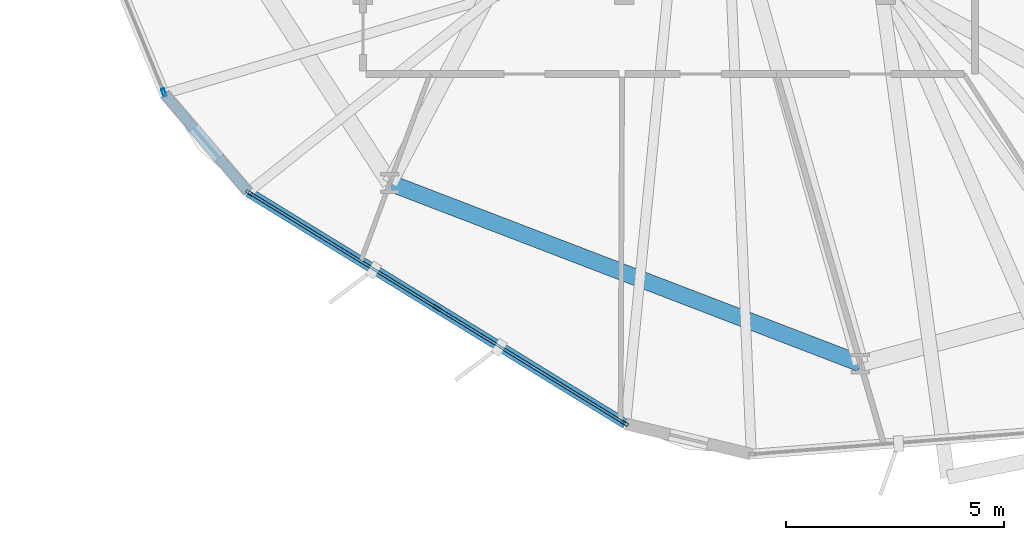
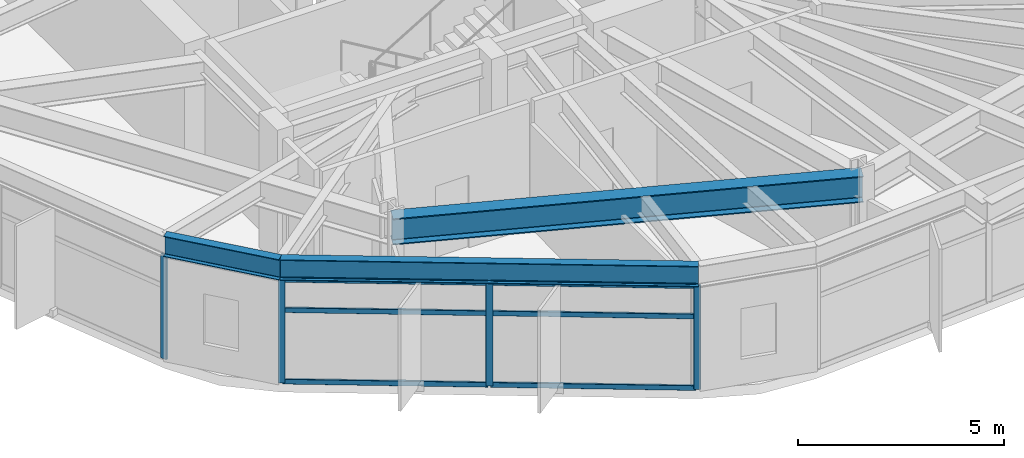
# One storey, part 2 of 22: 10 members, 3 beams, 2 elements without a shape of their own.
"""IFC4 building model written with IfcOpenShell, lengths in metres."""

import ifcopenshell
import ifcopenshell.guid

model = None  # the IFC model being written
_history = None  # IfcOwnerHistory: only IFC2X3 demands one
_inside = {}  # id of a spatial element -> (the spatial element, [elements in it])
_under = {}  # id of a project, library or spatial element -> (it, [spatial elements below it])
_declared = {}  # id of a project -> (the project, [libraries it declares])
_typed = {}  # id of a type object -> (the type object, [elements of that type])
_made_of = {}  # id of a material, layer set ... -> (it, [elements and type objects made of it])


def new_model(schema):
    """Start an empty IFC model of exactly this schema.

    Asked for "IFC4X3", IfcOpenShell would pick the latest addendum, in which some entities
    have other attributes; the version numbers below select the first issue.
    IFC2X3 requires an IfcOwnerHistory on every rooted entity: one is made here for all.
    """
    global model, _history
    if schema == "IFC4X3":
        model = ifcopenshell.file(schema_version=(4, 3, 0, 0))
    else:
        model = ifcopenshell.file(schema=schema)
    _inside.clear()
    _under.clear()
    _declared.clear()
    _typed.clear()
    _made_of.clear()
    _history = None
    if model.schema == "IFC2X3":
        org = make("IfcOrganization", Name="unknown")
        user = make(
            "IfcPersonAndOrganization",
            ThePerson=make("IfcPerson", FamilyName="unknown"),
            TheOrganization=org,
        )
        app = make(
            "IfcApplication",
            ApplicationDeveloper=org,
            Version="unknown",
            ApplicationFullName="unknown",
            ApplicationIdentifier="unknown",
        )
        _history = make(
            "IfcOwnerHistory",
            OwningUser=user,
            OwningApplication=app,
            ChangeAction="ADDED",
            CreationDate=0,
        )
    return model


def make(cls, **values):
    """One entity of the class cls with the attributes given. An attribute that is None is left unset."""
    return model.create_entity(
        cls, **{name: value for name, value in values.items() if value is not None}
    )


def rooted(cls, **values):
    """An entity with a GlobalId (a new one), such as an element, a storey or a relation."""
    return make(cls, GlobalId=ifcopenshell.guid.new(), OwnerHistory=_history, **values)


def si_unit(unit_type, name, prefix=None):
    """IfcSIUnit, for example si_unit("LENGTHUNIT", "METRE", prefix="MILLI")."""
    return make("IfcSIUnit", UnitType=unit_type, Prefix=prefix, Name=name)


def assignment(units):
    """IfcUnitAssignment: the units of a project."""
    return None if units is None else make("IfcUnitAssignment", Units=units)


def point(xyz):
    """IfcCartesianPoint."""
    return None if xyz is None else make("IfcCartesianPoint", Coordinates=xyz)


def direction(xyz):
    """IfcDirection."""
    return None if xyz is None else make("IfcDirection", DirectionRatios=xyz)


def frame(location, z_axis=None, x_axis=None):
    """IfcAxis2Placement3D, a coordinate frame: its origin and axes. An axis left out is left unset."""
    return make(
        "IfcAxis2Placement3D",
        Location=point(location),
        Axis=direction(z_axis),
        RefDirection=direction(x_axis),
    )


def frame_2d(location, x_axis=None):
    """IfcAxis2Placement2D, a coordinate frame in the plane: its origin and x axis."""
    return make(
        "IfcAxis2Placement2D", Location=point(location), RefDirection=direction(x_axis)
    )


def origin():
    """The frame at (0, 0, 0) with its axes left unset."""
    return frame((0.0, 0.0, 0.0))


def origin_2d():
    """The frame at (0, 0) in the plane with its x axis left unset."""
    return frame_2d((0.0, 0.0))


def place(relative_to, where):
    """IfcLocalPlacement: puts the frame where relative to a parent placement (None: the world)."""
    return make(
        "IfcLocalPlacement", PlacementRelTo=relative_to, RelativePlacement=where
    )


def context(
    kind, dimensions, precision=None, world=None, true_north=None, identifier=None
):
    """IfcGeometricRepresentationContext, for example the 3D "Model" context."""
    return make(
        "IfcGeometricRepresentationContext",
        ContextIdentifier=identifier,
        ContextType=kind,
        CoordinateSpaceDimension=dimensions,
        Precision=precision,
        WorldCoordinateSystem=world,
        TrueNorth=true_north,
    )


def subcontext(parent, identifier, kind, view, scale=None):
    """IfcGeometricRepresentationSubContext, for example "Body" below "Model"."""
    return make(
        "IfcGeometricRepresentationSubContext",
        ContextIdentifier=identifier,
        ContextType=kind,
        ParentContext=parent,
        TargetScale=scale,
        TargetView=view,
    )


def project(units=None, contexts=None):
    """IfcProject with its units and contexts."""
    return rooted(
        "IfcProject",
        Name="project",
        RepresentationContexts=contexts,
        UnitsInContext=assignment(units),
    )


def spatial(cls, under=None, at=None, **own):
    """A site, building, storey or space (cls), placed at a placement, below another one or the project."""
    s = rooted(cls, ObjectPlacement=at, **own)
    if under is not None:
        _under.setdefault(under.id(), (under, []))[1].append(s)
    return s


def profile(cls, at=None, kind="AREA", **sizes):
    """A parametric profile (cls). Its sizes go by their IFC names, for example OverallWidth=200.0."""
    return make(cls, ProfileType=kind, Position=at, **sizes)


def hollow_rectangle(**sizes):
    """IfcRectangleHollowProfileDef."""
    return profile("IfcRectangleHollowProfileDef", **sizes)


def i_section(**sizes):
    """IfcIShapeProfileDef."""
    return profile("IfcIShapeProfileDef", **sizes)


def extrude(swept, where, along, depth):
    """IfcExtrudedAreaSolid: the profile swept, set in the frame where, extruded along a direction by depth."""
    return make(
        "IfcExtrudedAreaSolid",
        SweptArea=swept,
        Position=where,
        ExtrudedDirection=direction(along),
        Depth=depth,
    )


def shape(context_of_items, identifier, shape_type, items):
    """IfcShapeRepresentation: the items that make up one representation, for example the "Body"."""
    return make(
        "IfcShapeRepresentation",
        ContextOfItems=context_of_items,
        RepresentationIdentifier=identifier,
        RepresentationType=shape_type,
        Items=items,
    )


def material(Name=None, Category=None):
    """IfcMaterial."""
    return make("IfcMaterial", Name=Name, Category=Category)


def layer(
    of_material, thickness, ventilated=None, Name=None, Category=None, Priority=None
):
    """IfcMaterialLayer: one layer of a wall or slab, of a material (None: an air gap)."""
    return make(
        "IfcMaterialLayer",
        Material=of_material,
        LayerThickness=thickness,
        IsVentilated=ventilated,
        Name=Name,
        Category=Category,
        Priority=Priority,
    )


def layer_set(layers, Name=None):
    """IfcMaterialLayerSet."""
    return make("IfcMaterialLayerSet", MaterialLayers=layers, LayerSetName=Name)


def material_profile(
    of_material, cross_section, Name=None, Category=None, Priority=None
):
    """IfcMaterialProfile: a cross section and its material."""
    return make(
        "IfcMaterialProfile",
        Name=Name,
        Material=of_material,
        Profile=cross_section,
        Priority=Priority,
        Category=Category,
    )


def profile_set(profiles, Name=None, composite=None):
    """IfcMaterialProfileSet."""
    return make(
        "IfcMaterialProfileSet",
        Name=Name,
        MaterialProfiles=profiles,
        CompositeProfile=composite,
    )


def made_of(thing, what):
    """Note that an element or type object is made of a material, layer set ...; save() writes the relation."""
    if what is not None:
        _made_of.setdefault(what.id(), (what, []))[1].append(thing)
    return thing


def type_object(cls, material=None, **own):
    """A type object (cls), such as IfcWallType, which elements share."""
    return made_of(rooted(cls, **own), material)


def element(
    cls,
    number,
    at=None,
    inside=None,
    cuts=None,
    type_object=None,
    material=None,
    context=None,
    identifier="Body",
    shape_type=None,
    held_by="IfcProductDefinitionShape",
    body=None,
    shapes=None,
    **own,
):
    """One element of the class cls, such as IfcWall. Its Tag is "e" and its number.

    at: its placement. inside: the storey or other place that contains it. cuts: it is an
    opening in that element (IfcRelVoidsElement). A single representation is given by context,
    identifier, shape_type and body (its items); several are given by shapes. held_by: the class
    of the entity that holds the representations. save() writes the other relations.
    """
    e = rooted(cls, Tag="e%d" % number, ObjectPlacement=at, **own)
    if body is not None:
        shapes = [shape(context, identifier, shape_type, body)]
    if shapes is not None:
        e.Representation = make(held_by, Representations=shapes)
    if inside is not None:
        _inside.setdefault(inside.id(), (inside, []))[1].append(e)
    if cuts is not None:
        rooted(
            "IfcRelVoidsElement", RelatingBuildingElement=cuts, RelatedOpeningElement=e
        )
    if type_object is not None:
        _typed.setdefault(type_object.id(), (type_object, []))[1].append(e)
    return made_of(e, material)


def aggregate(whole, parts):
    """IfcRelAggregates: a whole, such as a stair, and the parts it consists of."""
    return rooted("IfcRelAggregates", RelatingObject=whole, RelatedObjects=parts)


def save(model, path):
    """Write the relations noted so far, then the file.

    IfcRelAggregates (storeys below a building ...), IfcRelContainedInSpatialStructure (elements
    in a storey), IfcRelDefinesByType, IfcRelAssociatesMaterial and IfcRelDeclares: one each for
    every whole, place, type object, material and project.
    """
    for whole, parts in _under.values():
        aggregate(whole, parts)
    for where, things in _inside.values():
        rooted(
            "IfcRelContainedInSpatialStructure",
            RelatedElements=things,
            RelatingStructure=where,
        )
    for kind, things in _typed.values():
        rooted("IfcRelDefinesByType", RelatedObjects=things, RelatingType=kind)
    for what, things in _made_of.values():
        rooted("IfcRelAssociatesMaterial", RelatedObjects=things, RelatingMaterial=what)
    for by, libraries in _declared.values():
        rooted("IfcRelDeclares", RelatingContext=by, RelatedDefinitions=libraries)
    model.write(path)


model = new_model("IFC4")

# Units and contexts
model_context = context("Model", 3, precision=1e-05, world=origin(), true_north=direction((0.0, 1.0)))
body_context = subcontext(model_context, "Body", "Model", "MODEL_VIEW")
ifc_project = project(units=[si_unit("LENGTHUNIT", "METRE"), si_unit("AREAUNIT", "SQUARE_METRE"), si_unit("VOLUMEUNIT", "CUBIC_METRE"), si_unit("PLANEANGLEUNIT", "RADIAN"), si_unit("MASSUNIT", "GRAM", prefix="KILO")], contexts=[model_context])

# Site, building, storey
site_placement = place(None, origin())
site = spatial("IfcSite", under=ifc_project, at=site_placement, CompositionType="ELEMENT")
building_placement = place(site_placement, origin())
building = spatial("IfcBuilding", under=site, at=building_placement, Name="Soratama Intermodal Tower", CompositionType="ELEMENT")
storey_placement = place(building_placement, frame((0.0, 0.0, 50.60009765625)))
storey = spatial("IfcBuildingStorey", under=building, at=storey_placement, Name="L11", CompositionType="ELEMENT", Elevation=50.60009765625)

# Beams
ifc_material_1 = material(Name="Structural steel ASTM A992 Grade 50", Category="steel")
ifc_material_profile_1 = material_profile(ifc_material_1, i_section(OverallWidth=0.382080078125, OverallDepth=0.779052734375, WebThickness=0.01806640625, FlangeThickness=0.030029296875, FilletRadius=0.01806640625, at=origin_2d()), Name="W30X191")
ifc_profile_set_1 = profile_set([ifc_material_profile_1], Name="Structural steel ASTM A992 Grade 50")
beam_type_1 = type_object("IfcBeamType", Name="BM-RING-W30X191", PredefinedType="BEAM", material=ifc_profile_set_1)
beam_1_placement = place(storey_placement, frame((33.218994140625, 10.451904296875, 3.310302734375), z_axis=(0.933584159632, -0.358358224246, 0.0), x_axis=(0.358358224246, 0.933584159632, 0.0)))
element("IfcBeam", 1, at=beam_1_placement, inside=storey, type_object=beam_type_1, Name="BM-L11-RING-07", PredefinedType="BEAM", context=body_context, shape_type="SweptSolid", body=[
    extrude(i_section(OverallWidth=0.382080078125, OverallDepth=0.779052734375, WebThickness=0.01806640625, FlangeThickness=0.030029296875, FilletRadius=0.01806640625, at=origin_2d()), origin(), (0.0, 0.0, 1.0), 11.5693359375),
])
ifc_material_2 = material(Name="Structural steel ASTM A992 Grade 50", Category="steel")
ifc_material_profile_2 = material_profile(ifc_material_2, i_section(OverallWidth=0.22900390625, OverallDepth=0.612060546875, WebThickness=0.011962890625, FlangeThickness=0.01953125, FilletRadius=0.012939453125, at=origin_2d()), Name="W24X84")
ifc_profile_set_2 = profile_set([ifc_material_profile_2], Name="Structural steel ASTM A992 Grade 50")
beam_type_2 = type_object("IfcBeamType", Name="BM-SPN-W24X84", PredefinedType="SPANDREL", material=ifc_profile_set_2)
beam_2_placement = place(storey_placement, frame((28.044921875, 12.4990234375, 3.393798828125), z_axis=(0.648763078542, -0.760990451925, 0.0), x_axis=(0.760990451925, 0.648763078542, 0.0)))
element("IfcBeam", 2, at=beam_2_placement, inside=storey, type_object=beam_type_2, Name="BS-L11-CRN06", PredefinedType="SPANDREL", context=body_context, shape_type="SweptSolid", body=[
    extrude(i_section(OverallWidth=0.22900390625, OverallDepth=0.612060546875, WebThickness=0.011962890625, FlangeThickness=0.01953125, FilletRadius=0.012939453125, at=origin_2d()), origin(), (0.0, 0.0, 1.0), 2.96728515625),
])
beam_3_placement = place(storey_placement, frame((29.969970703125, 10.240966796875, 3.393798828125), z_axis=(0.852090983028, -0.523393691825, 0.0), x_axis=(0.523393691825, 0.852090983028, 0.0)))
element("IfcBeam", 3, at=beam_3_placement, inside=storey, type_object=beam_type_2, Name="BS-L11-F07", PredefinedType="SPANDREL", context=body_context, shape_type="SweptSolid", body=[
    extrude(i_section(OverallWidth=0.22900390625, OverallDepth=0.612060546875, WebThickness=0.011962890625, FlangeThickness=0.01953125, FilletRadius=0.012939453125, at=origin_2d()), origin(), (0.0, 0.0, 1.0), 10.16455078125),
])

# Curtain wall, member
ifc_material_3 = material(Name="Double-glazed aluminium curtain wall", Category="aluminium")
ifc_layer = layer(ifc_material_3, 0.159912109375)
ifc_layer_set = layer_set([ifc_layer], Name="Double-glazed aluminium curtain wall")
curtain_wall_type = type_object("IfcCurtainWallType", Name="CW-SYS-2", PredefinedType="NOTDEFINED", material=ifc_layer_set)
curtain_wall_1_placement = place(storey_placement, origin())
curtain_wall_1 = element("IfcCurtainWall", 4, at=curtain_wall_1_placement, inside=storey, type_object=curtain_wall_type, Name="L11 Faceted Curtain Wall F06", PredefinedType="NOTDEFINED")
ifc_material_4 = material(Name="Anodised aluminium AA 6063-T6", Category="aluminium")
ifc_material_profile_3 = material_profile(ifc_material_4, hollow_rectangle(XDim=0.074951171875, YDim=0.179931640625, WallThickness=0.006103515625, InnerFilletRadius=0.006103515625, OuterFilletRadius=0.011962890625, at=origin_2d()), Name="CWM180X75X6")
ifc_profile_set_3 = profile_set([ifc_material_profile_3], Name="Anodised aluminium AA 6063-T6")
member_type_1 = type_object("IfcMemberType", Name="MT-CWM-2", PredefinedType="MULLION", material=ifc_profile_set_3)
member_1_placement = place(storey_placement, frame((28.033935546875, 12.526611328125, 0.0), z_axis=(0.0, 0.0, 1.0), x_axis=(0.924277045689, 0.381722337323, 0.0)))
member_1 = element("IfcMember", 5, at=member_1_placement, type_object=member_type_1, Name="CW-2 mullion 3", PredefinedType="MULLION", context=body_context, shape_type="SweptSolid", body=[
    extrude(hollow_rectangle(XDim=0.074951171875, YDim=0.179931640625, WallThickness=0.006103515625, InnerFilletRadius=0.006103515625, OuterFilletRadius=0.011962890625, at=origin_2d()), origin(), (0.0, 0.0, 1.0), 3.078857421875),
])
aggregate(curtain_wall_1, [member_1])

# Curtain wall, members
curtain_wall_2_placement = place(storey_placement, origin())
curtain_wall_2 = element("IfcCurtainWall", 6, at=curtain_wall_2_placement, inside=storey, type_object=curtain_wall_type, Name="L11 Faceted Curtain Wall F07", PredefinedType="NOTDEFINED")
member_2_placement = place(storey_placement, frame((29.9951171875, 10.225341796875, 0.0), z_axis=(0.0, 0.0, 1.0), x_axis=(0.523385352641, 0.852096105285, 0.0)))
member_2 = element("IfcMember", 7, at=member_2_placement, type_object=member_type_1, Name="CW-2 mullion 1", PredefinedType="MULLION", context=body_context, shape_type="SweptSolid", body=[
    extrude(hollow_rectangle(XDim=0.074951171875, YDim=0.179931640625, WallThickness=0.006103515625, InnerFilletRadius=0.006103515625, OuterFilletRadius=0.011962890625, at=origin_2d()), origin(), (0.0, 0.0, 1.0), 3.078857421875),
])
member_3_placement = place(storey_placement, frame((34.300537109375, 7.5810546875, 0.0), z_axis=(0.0, 0.0, 1.0), x_axis=(0.523385352641, 0.852096105285, 0.0)))
member_3 = element("IfcMember", 8, at=member_3_placement, type_object=member_type_1, Name="CW-2 mullion 2", PredefinedType="MULLION", context=body_context, shape_type="SweptSolid", body=[
    extrude(hollow_rectangle(XDim=0.074951171875, YDim=0.179931640625, WallThickness=0.006103515625, InnerFilletRadius=0.006103515625, OuterFilletRadius=0.011962890625, at=origin_2d()), origin(), (0.0, 0.0, 1.0), 3.078857421875),
])
member_4_placement = place(storey_placement, frame((38.605712890625, 4.9365234375, 0.0), z_axis=(0.0, 0.0, 1.0), x_axis=(0.523385352641, 0.852096105285, 0.0)))
member_4 = element("IfcMember", 9, at=member_4_placement, type_object=member_type_1, Name="CW-2 mullion 3", PredefinedType="MULLION", context=body_context, shape_type="SweptSolid", body=[
    extrude(hollow_rectangle(XDim=0.074951171875, YDim=0.179931640625, WallThickness=0.006103515625, InnerFilletRadius=0.006103515625, OuterFilletRadius=0.011962890625, at=origin_2d()), origin(), (0.0, 0.0, 1.0), 3.078857421875),
])
ifc_material_5 = material(Name="Anodised aluminium AA 6063-T6", Category="aluminium")
ifc_material_profile_4 = material_profile(ifc_material_5, hollow_rectangle(XDim=0.06494140625, YDim=0.14990234375, WallThickness=0.0048828125, InnerFilletRadius=0.0048828125, OuterFilletRadius=0.010009765625, at=origin_2d()), Name="CWT150X65X5")
ifc_profile_set_4 = profile_set([ifc_material_profile_4], Name="Anodised aluminium AA 6063-T6")
member_type_2 = type_object("IfcMemberType", Name="TT-CWT-1", PredefinedType="USERDEFINED", material=ifc_profile_set_4)
member_5_placement = place(storey_placement, frame((30.020751953125, 10.209716796875, 0.02978515625), z_axis=(0.852096237219, -0.523385137845, 0.0), x_axis=(0.523385137845, 0.852096237219, 0.0)))
member_5 = element("IfcMember", 10, at=member_5_placement, type_object=member_type_2, Name="CW-2 transom 1.1", ObjectType="TRANSOM", PredefinedType="USERDEFINED", context=body_context, shape_type="SweptSolid", body=[
    extrude(hollow_rectangle(XDim=0.06494140625, YDim=0.14990234375, WallThickness=0.0048828125, InnerFilletRadius=0.0048828125, OuterFilletRadius=0.010009765625, at=origin_2d()), origin(), (0.0, 0.0, 1.0), 4.99267578125),
])
member_6_placement = place(storey_placement, frame((30.020751953125, 10.209716796875, 2.14990234375), z_axis=(0.852096237219, -0.523385137845, 0.0), x_axis=(0.523385137845, 0.852096237219, 0.0)))
member_6 = element("IfcMember", 11, at=member_6_placement, type_object=member_type_2, Name="CW-2 transom 1.2", ObjectType="TRANSOM", PredefinedType="USERDEFINED", context=body_context, shape_type="SweptSolid", body=[
    extrude(hollow_rectangle(XDim=0.06494140625, YDim=0.14990234375, WallThickness=0.0048828125, InnerFilletRadius=0.0048828125, OuterFilletRadius=0.010009765625, at=origin_2d()), origin(), (0.0, 0.0, 1.0), 4.99267578125),
])
member_7_placement = place(storey_placement, frame((30.020751953125, 10.209716796875, 3.048828125), z_axis=(0.852096237219, -0.523385137845, 0.0), x_axis=(0.523385137845, 0.852096237219, 0.0)))
member_7 = element("IfcMember", 12, at=member_7_placement, type_object=member_type_2, Name="CW-2 transom 1.3", ObjectType="TRANSOM", PredefinedType="USERDEFINED", context=body_context, shape_type="SweptSolid", body=[
    extrude(hollow_rectangle(XDim=0.06494140625, YDim=0.14990234375, WallThickness=0.0048828125, InnerFilletRadius=0.0048828125, OuterFilletRadius=0.010009765625, at=origin_2d()), origin(), (0.0, 0.0, 1.0), 4.99267578125),
])
member_8_placement = place(storey_placement, frame((34.325927734375, 7.565185546875, 0.02978515625), z_axis=(0.852096237219, -0.523385137845, 0.0), x_axis=(0.523385137845, 0.852096237219, 0.0)))
member_8 = element("IfcMember", 13, at=member_8_placement, type_object=member_type_2, Name="CW-2 transom 2.1", ObjectType="TRANSOM", PredefinedType="USERDEFINED", context=body_context, shape_type="SweptSolid", body=[
    extrude(hollow_rectangle(XDim=0.06494140625, YDim=0.14990234375, WallThickness=0.0048828125, InnerFilletRadius=0.0048828125, OuterFilletRadius=0.010009765625, at=origin_2d()), origin(), (0.0, 0.0, 1.0), 4.99267578125),
])
member_9_placement = place(storey_placement, frame((34.325927734375, 7.565185546875, 2.14990234375), z_axis=(0.852096237219, -0.523385137845, 0.0), x_axis=(0.523385137845, 0.852096237219, 0.0)))
member_9 = element("IfcMember", 14, at=member_9_placement, type_object=member_type_2, Name="CW-2 transom 2.2", ObjectType="TRANSOM", PredefinedType="USERDEFINED", context=body_context, shape_type="SweptSolid", body=[
    extrude(hollow_rectangle(XDim=0.06494140625, YDim=0.14990234375, WallThickness=0.0048828125, InnerFilletRadius=0.0048828125, OuterFilletRadius=0.010009765625, at=origin_2d()), origin(), (0.0, 0.0, 1.0), 4.99267578125),
])
member_10_placement = place(storey_placement, frame((34.325927734375, 7.565185546875, 3.048828125), z_axis=(0.852096237219, -0.523385137845, 0.0), x_axis=(0.523385137845, 0.852096237219, 0.0)))
member_10 = element("IfcMember", 15, at=member_10_placement, type_object=member_type_2, Name="CW-2 transom 2.3", ObjectType="TRANSOM", PredefinedType="USERDEFINED", context=body_context, shape_type="SweptSolid", body=[
    extrude(hollow_rectangle(XDim=0.06494140625, YDim=0.14990234375, WallThickness=0.0048828125, InnerFilletRadius=0.0048828125, OuterFilletRadius=0.010009765625, at=origin_2d()), origin(), (0.0, 0.0, 1.0), 4.99267578125),
])
aggregate(curtain_wall_2, [member_2, member_3, member_4, member_5, member_6, member_7, member_8, member_9, member_10])

save(model, "model.ifc")
